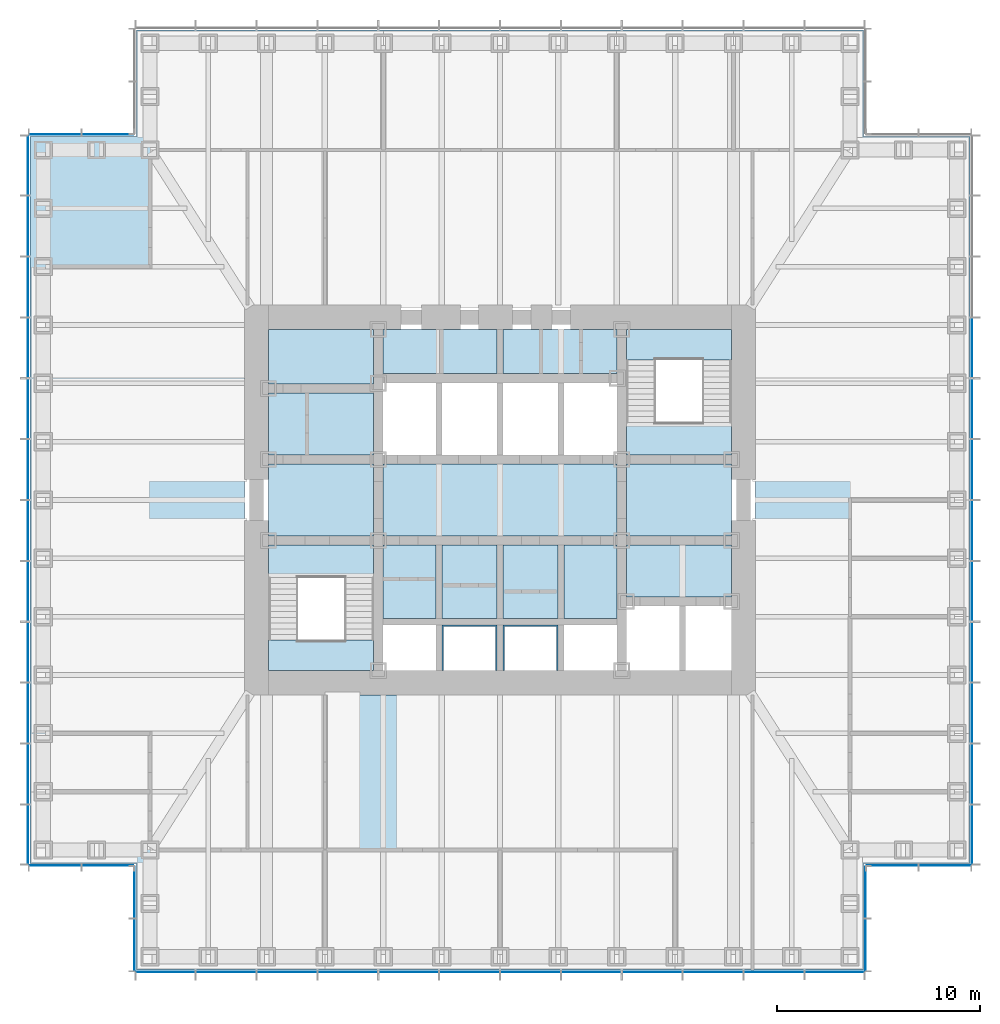
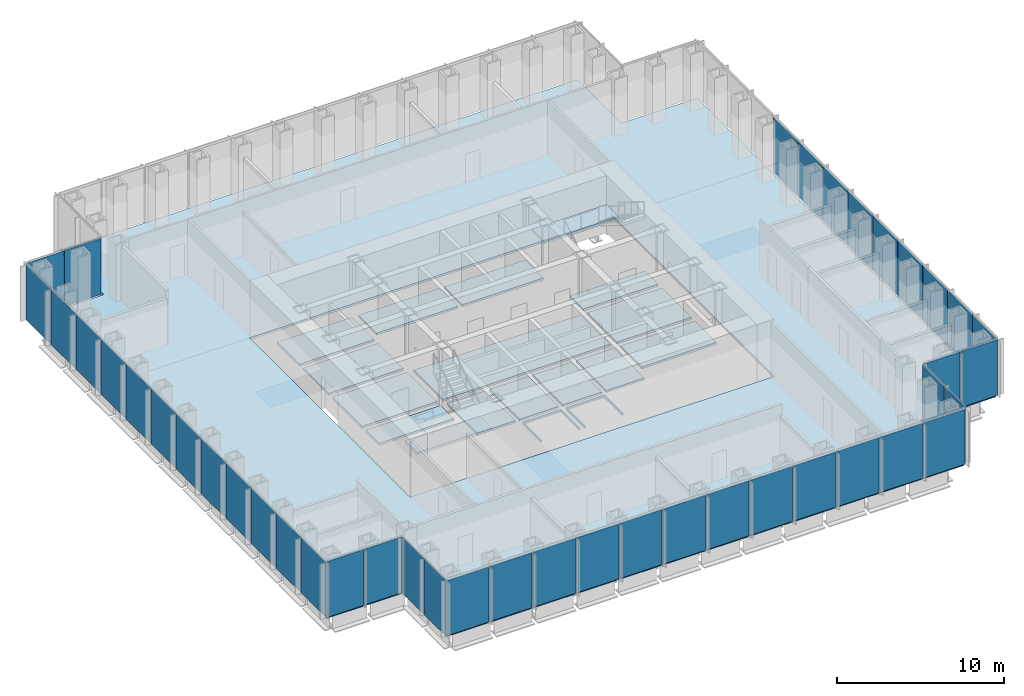
# One storey, part 7 of 17: 43 plates, 19 slabs, 10 elements without a shape of their own.
"""IFC4 building model written with IfcOpenShell, lengths in metres."""

from ifc_helpers import new_model, si_unit, direction, frame, origin, origin_2d, place, context, subcontext, project, spatial, polyline, rectangle, outline, extrude, material, layer, layer_set, type_object, element, aggregate, save


model = new_model("IFC4")

# Units and contexts
model_context = context("Model", 3, precision=1e-05, world=origin(), true_north=direction((0.0, 1.0)))
body_context = subcontext(model_context, "Body", "Model", "MODEL_VIEW")
ifc_project = project(units=[si_unit("LENGTHUNIT", "METRE"), si_unit("AREAUNIT", "SQUARE_METRE"), si_unit("VOLUMEUNIT", "CUBIC_METRE"), si_unit("PLANEANGLEUNIT", "RADIAN"), si_unit("MASSUNIT", "GRAM", prefix="KILO")], contexts=[model_context])

# Site, building, storey
site_placement = place(None, origin())
site = spatial("IfcSite", under=ifc_project, at=site_placement, CompositionType="ELEMENT")
building_placement = place(site_placement, origin())
building = spatial("IfcBuilding", under=site, at=building_placement, Name="Daluyong Arena Tower", CompositionType="ELEMENT")
storey_placement = place(building_placement, frame((0.0, 0.0, 166.89990234375)))
storey = spatial("IfcBuildingStorey", under=building, at=storey_placement, Name="L37", CompositionType="ELEMENT", Elevation=166.89990234375)

# Curtain wall, plates
ifc_material_1 = material(Name="Bronze anodised aluminium and glass", Category="aluminium")
curtain_wall_type_1 = type_object("IfcCurtainWallType", Name="Curtain wall CW2", PredefinedType="USERDEFINED", material=ifc_material_1)
curtain_wall_1_placement = place(storey_placement, origin())
curtain_wall_1 = element("IfcCurtainWall", 1, at=curtain_wall_1_placement, inside=storey, type_object=curtain_wall_type_1, Name="curtain wall L37 S", ObjectType="UNITISED CURTAIN WALL", PredefinedType="USERDEFINED")
ifc_material_2 = material(Name="Tinted double glazed unit", Category="glass")
ifc_layer_1 = layer(ifc_material_2, 0.031982421875)
ifc_layer_set_1 = layer_set([ifc_layer_1], Name="Tinted double glazed unit")
plate_type_1 = type_object("IfcPlateType", Name="CW2 panel 32", PredefinedType="CURTAIN_PANEL", material=ifc_layer_set_1)
plate_1_placement = place(storey_placement, frame((39.52001953125, 56.75, 0.0), z_axis=(0.0, 0.0, 1.0), x_axis=(1.0, 0.0, 0.0)))
plate_1 = element("IfcPlate", 2, at=plate_1_placement, type_object=plate_type_1, Name="curtain wall L37 S panel 1", PredefinedType="CURTAIN_PANEL", context=body_context, shape_type="SweptSolid", body=[
    extrude(rectangle(XDim=2.8798828125, YDim=0.031982421875, at=origin_2d()), origin(), (0.0, 0.0, 1.0), 4.02001953125),
])
plate_2_placement = place(storey_placement, frame((42.5, 56.75, 0.0), z_axis=(0.0, 0.0, 1.0), x_axis=(1.0, 0.0, 0.0)))
plate_2 = element("IfcPlate", 3, at=plate_2_placement, type_object=plate_type_1, Name="curtain wall L37 S panel 2", PredefinedType="CURTAIN_PANEL", context=body_context, shape_type="SweptSolid", body=[
    extrude(rectangle(XDim=2.919921875, YDim=0.031982421875, at=origin_2d()), origin(), (0.0, 0.0, 1.0), 4.02001953125),
])
plate_3_placement = place(storey_placement, frame((45.5, 56.75, 0.0), z_axis=(0.0, 0.0, 1.0), x_axis=(1.0, 0.0, 0.0)))
plate_3 = element("IfcPlate", 4, at=plate_3_placement, type_object=plate_type_1, Name="curtain wall L37 S panel 3", PredefinedType="CURTAIN_PANEL", context=body_context, shape_type="SweptSolid", body=[
    extrude(rectangle(XDim=2.919921875, YDim=0.031982421875, at=origin_2d()), origin(), (0.0, 0.0, 1.0), 4.02001953125),
])
plate_4_placement = place(storey_placement, frame((48.5, 56.75, 0.0), z_axis=(0.0, 0.0, 1.0), x_axis=(1.0, 0.0, 0.0)))
plate_4 = element("IfcPlate", 5, at=plate_4_placement, type_object=plate_type_1, Name="curtain wall L37 S panel 4", PredefinedType="CURTAIN_PANEL", context=body_context, shape_type="SweptSolid", body=[
    extrude(rectangle(XDim=2.919921875, YDim=0.031982421875, at=origin_2d()), origin(), (0.0, 0.0, 1.0), 4.02001953125),
])
plate_5_placement = place(storey_placement, frame((51.5, 56.75, 0.0), z_axis=(0.0, 0.0, 1.0), x_axis=(1.0, 0.0, 0.0)))
plate_5 = element("IfcPlate", 6, at=plate_5_placement, type_object=plate_type_1, Name="curtain wall L37 S panel 5", PredefinedType="CURTAIN_PANEL", context=body_context, shape_type="SweptSolid", body=[
    extrude(rectangle(XDim=2.919921875, YDim=0.031982421875, at=origin_2d()), origin(), (0.0, 0.0, 1.0), 4.02001953125),
])
plate_6_placement = place(storey_placement, frame((54.5, 56.75, 0.0), z_axis=(0.0, 0.0, 1.0), x_axis=(1.0, 0.0, 0.0)))
plate_6 = element("IfcPlate", 7, at=plate_6_placement, type_object=plate_type_1, Name="curtain wall L37 S panel 6", PredefinedType="CURTAIN_PANEL", context=body_context, shape_type="SweptSolid", body=[
    extrude(rectangle(XDim=2.919921875, YDim=0.031982421875, at=origin_2d()), origin(), (0.0, 0.0, 1.0), 4.02001953125),
])
plate_7_placement = place(storey_placement, frame((57.5, 56.75, 0.0), z_axis=(0.0, 0.0, 1.0), x_axis=(1.0, 0.0, 0.0)))
plate_7 = element("IfcPlate", 8, at=plate_7_placement, type_object=plate_type_1, Name="curtain wall L37 S panel 7", PredefinedType="CURTAIN_PANEL", context=body_context, shape_type="SweptSolid", body=[
    extrude(rectangle(XDim=2.919921875, YDim=0.031982421875, at=origin_2d()), origin(), (0.0, 0.0, 1.0), 4.02001953125),
])
plate_8_placement = place(storey_placement, frame((60.5, 56.75, 0.0), z_axis=(0.0, 0.0, 1.0), x_axis=(1.0, 0.0, 0.0)))
plate_8 = element("IfcPlate", 9, at=plate_8_placement, type_object=plate_type_1, Name="curtain wall L37 S panel 8", PredefinedType="CURTAIN_PANEL", context=body_context, shape_type="SweptSolid", body=[
    extrude(rectangle(XDim=2.919921875, YDim=0.031982421875, at=origin_2d()), origin(), (0.0, 0.0, 1.0), 4.02001953125),
])
plate_9_placement = place(storey_placement, frame((63.5, 56.75, 0.0), z_axis=(0.0, 0.0, 1.0), x_axis=(1.0, 0.0, 0.0)))
plate_9 = element("IfcPlate", 10, at=plate_9_placement, type_object=plate_type_1, Name="curtain wall L37 S panel 9", PredefinedType="CURTAIN_PANEL", context=body_context, shape_type="SweptSolid", body=[
    extrude(rectangle(XDim=2.919921875, YDim=0.031982421875, at=origin_2d()), origin(), (0.0, 0.0, 1.0), 4.02001953125),
])
plate_10_placement = place(storey_placement, frame((66.5, 56.75, 0.0), z_axis=(0.0, 0.0, 1.0), x_axis=(1.0, 0.0, 0.0)))
plate_10 = element("IfcPlate", 11, at=plate_10_placement, type_object=plate_type_1, Name="curtain wall L37 S panel 10", PredefinedType="CURTAIN_PANEL", context=body_context, shape_type="SweptSolid", body=[
    extrude(rectangle(XDim=2.919921875, YDim=0.031982421875, at=origin_2d()), origin(), (0.0, 0.0, 1.0), 4.02001953125),
])
plate_11_placement = place(storey_placement, frame((69.5, 56.75, 0.0), z_axis=(0.0, 0.0, 1.0), x_axis=(1.0, 0.0, 0.0)))
plate_11 = element("IfcPlate", 12, at=plate_11_placement, type_object=plate_type_1, Name="curtain wall L37 S panel 11", PredefinedType="CURTAIN_PANEL", context=body_context, shape_type="SweptSolid", body=[
    extrude(rectangle(XDim=2.919921875, YDim=0.031982421875, at=origin_2d()), origin(), (0.0, 0.0, 1.0), 4.02001953125),
])
plate_12_placement = place(storey_placement, frame((72.47998046875, 56.75, 0.0), z_axis=(0.0, 0.0, 1.0), x_axis=(1.0, 0.0, 0.0)))
plate_12 = element("IfcPlate", 13, at=plate_12_placement, type_object=plate_type_1, Name="curtain wall L37 S panel 12", PredefinedType="CURTAIN_PANEL", context=body_context, shape_type="SweptSolid", body=[
    extrude(rectangle(XDim=2.8798828125, YDim=0.031982421875, at=origin_2d()), origin(), (0.0, 0.0, 1.0), 4.02001953125),
])
aggregate(curtain_wall_1, [plate_1, plate_2, plate_3, plate_4, plate_5, plate_6, plate_7, plate_8, plate_9, plate_10, plate_11, plate_12])

curtain_wall_2_placement = place(storey_placement, origin())
curtain_wall_2 = element("IfcCurtainWall", 14, at=curtain_wall_2_placement, inside=storey, type_object=curtain_wall_type_1, Name="curtain wall L37 E", ObjectType="UNITISED CURTAIN WALL", PredefinedType="USERDEFINED")
plate_13_placement = place(storey_placement, frame((79.25, 63.52001953125, 0.0), z_axis=(0.0, 0.0, 1.0), x_axis=(0.0, 1.0, 0.0)))
plate_13 = element("IfcPlate", 15, at=plate_13_placement, type_object=plate_type_1, Name="curtain wall L37 E panel 1", PredefinedType="CURTAIN_PANEL", context=body_context, shape_type="SweptSolid", body=[
    extrude(rectangle(XDim=2.8798828125, YDim=0.031982421875, at=origin_2d()), origin(), (0.0, 0.0, 1.0), 4.02001953125),
])
plate_14_placement = place(storey_placement, frame((79.25, 66.5, 0.0), z_axis=(0.0, 0.0, 1.0), x_axis=(0.0, 1.0, 0.0)))
plate_14 = element("IfcPlate", 16, at=plate_14_placement, type_object=plate_type_1, Name="curtain wall L37 E panel 2", PredefinedType="CURTAIN_PANEL", context=body_context, shape_type="SweptSolid", body=[
    extrude(rectangle(XDim=2.919921875, YDim=0.031982421875, at=origin_2d()), origin(), (0.0, 0.0, 1.0), 4.02001953125),
])
plate_15_placement = place(storey_placement, frame((79.25, 69.5, 0.0), z_axis=(0.0, 0.0, 1.0), x_axis=(0.0, 1.0, 0.0)))
plate_15 = element("IfcPlate", 17, at=plate_15_placement, type_object=plate_type_1, Name="curtain wall L37 E panel 3", PredefinedType="CURTAIN_PANEL", context=body_context, shape_type="SweptSolid", body=[
    extrude(rectangle(XDim=2.919921875, YDim=0.031982421875, at=origin_2d()), origin(), (0.0, 0.0, 1.0), 4.02001953125),
])
plate_16_placement = place(storey_placement, frame((79.25, 72.5, 0.0), z_axis=(0.0, 0.0, 1.0), x_axis=(0.0, 1.0, 0.0)))
plate_16 = element("IfcPlate", 18, at=plate_16_placement, type_object=plate_type_1, Name="curtain wall L37 E panel 4", PredefinedType="CURTAIN_PANEL", context=body_context, shape_type="SweptSolid", body=[
    extrude(rectangle(XDim=2.919921875, YDim=0.031982421875, at=origin_2d()), origin(), (0.0, 0.0, 1.0), 4.02001953125),
])
plate_17_placement = place(storey_placement, frame((79.25, 75.5, 0.0), z_axis=(0.0, 0.0, 1.0), x_axis=(0.0, 1.0, 0.0)))
plate_17 = element("IfcPlate", 19, at=plate_17_placement, type_object=plate_type_1, Name="curtain wall L37 E panel 5", PredefinedType="CURTAIN_PANEL", context=body_context, shape_type="SweptSolid", body=[
    extrude(rectangle(XDim=2.919921875, YDim=0.031982421875, at=origin_2d()), origin(), (0.0, 0.0, 1.0), 4.02001953125),
])
plate_18_placement = place(storey_placement, frame((79.25, 78.5, 0.0), z_axis=(0.0, 0.0, 1.0), x_axis=(0.0, 1.0, 0.0)))
plate_18 = element("IfcPlate", 20, at=plate_18_placement, type_object=plate_type_1, Name="curtain wall L37 E panel 6", PredefinedType="CURTAIN_PANEL", context=body_context, shape_type="SweptSolid", body=[
    extrude(rectangle(XDim=2.919921875, YDim=0.031982421875, at=origin_2d()), origin(), (0.0, 0.0, 1.0), 4.02001953125),
])
plate_19_placement = place(storey_placement, frame((79.25, 81.5, 0.0), z_axis=(0.0, 0.0, 1.0), x_axis=(0.0, 1.0, 0.0)))
plate_19 = element("IfcPlate", 21, at=plate_19_placement, type_object=plate_type_1, Name="curtain wall L37 E panel 7", PredefinedType="CURTAIN_PANEL", context=body_context, shape_type="SweptSolid", body=[
    extrude(rectangle(XDim=2.919921875, YDim=0.031982421875, at=origin_2d()), origin(), (0.0, 0.0, 1.0), 4.02001953125),
])
plate_20_placement = place(storey_placement, frame((79.25, 84.5, 0.0), z_axis=(0.0, 0.0, 1.0), x_axis=(0.0, 1.0, 0.0)))
plate_20 = element("IfcPlate", 22, at=plate_20_placement, type_object=plate_type_1, Name="curtain wall L37 E panel 8", PredefinedType="CURTAIN_PANEL", context=body_context, shape_type="SweptSolid", body=[
    extrude(rectangle(XDim=2.919921875, YDim=0.031982421875, at=origin_2d()), origin(), (0.0, 0.0, 1.0), 4.02001953125),
])
plate_21_placement = place(storey_placement, frame((79.25, 87.5, 0.0), z_axis=(0.0, 0.0, 1.0), x_axis=(0.0, 1.0, 0.0)))
plate_21 = element("IfcPlate", 23, at=plate_21_placement, type_object=plate_type_1, Name="curtain wall L37 E panel 9", PredefinedType="CURTAIN_PANEL", context=body_context, shape_type="SweptSolid", body=[
    extrude(rectangle(XDim=2.919921875, YDim=0.031982421875, at=origin_2d()), origin(), (0.0, 0.0, 1.0), 4.02001953125),
])
aggregate(curtain_wall_2, [plate_13, plate_14, plate_15, plate_16, plate_17, plate_18, plate_19, plate_20, plate_21])

curtain_wall_3_placement = place(storey_placement, origin())
curtain_wall_3 = element("IfcCurtainWall", 24, at=curtain_wall_3_placement, inside=storey, type_object=curtain_wall_type_1, Name="curtain wall L37 W", ObjectType="UNITISED CURTAIN WALL", PredefinedType="USERDEFINED")
plate_22_placement = place(storey_placement, frame((32.75, 96.47998046875, 0.0), z_axis=(0.0, 0.0, 1.0), x_axis=(0.0, -1.0, 0.0)))
plate_22 = element("IfcPlate", 25, at=plate_22_placement, type_object=plate_type_1, Name="curtain wall L37 W panel 1", PredefinedType="CURTAIN_PANEL", context=body_context, shape_type="SweptSolid", body=[
    extrude(rectangle(XDim=2.8798828125, YDim=0.031982421875, at=origin_2d()), origin(), (0.0, 0.0, 1.0), 4.02001953125),
])
plate_23_placement = place(storey_placement, frame((32.75, 93.5, 0.0), z_axis=(0.0, 0.0, 1.0), x_axis=(0.0, -1.0, 0.0)))
plate_23 = element("IfcPlate", 26, at=plate_23_placement, type_object=plate_type_1, Name="curtain wall L37 W panel 2", PredefinedType="CURTAIN_PANEL", context=body_context, shape_type="SweptSolid", body=[
    extrude(rectangle(XDim=2.919921875, YDim=0.031982421875, at=origin_2d()), origin(), (0.0, 0.0, 1.0), 4.02001953125),
])
plate_24_placement = place(storey_placement, frame((32.75, 90.5, 0.0), z_axis=(0.0, 0.0, 1.0), x_axis=(0.0, -1.0, 0.0)))
plate_24 = element("IfcPlate", 27, at=plate_24_placement, type_object=plate_type_1, Name="curtain wall L37 W panel 3", PredefinedType="CURTAIN_PANEL", context=body_context, shape_type="SweptSolid", body=[
    extrude(rectangle(XDim=2.919921875, YDim=0.031982421875, at=origin_2d()), origin(), (0.0, 0.0, 1.0), 4.02001953125),
])
plate_25_placement = place(storey_placement, frame((32.75, 87.5, 0.0), z_axis=(0.0, 0.0, 1.0), x_axis=(0.0, -1.0, 0.0)))
plate_25 = element("IfcPlate", 28, at=plate_25_placement, type_object=plate_type_1, Name="curtain wall L37 W panel 4", PredefinedType="CURTAIN_PANEL", context=body_context, shape_type="SweptSolid", body=[
    extrude(rectangle(XDim=2.919921875, YDim=0.031982421875, at=origin_2d()), origin(), (0.0, 0.0, 1.0), 4.02001953125),
])
plate_26_placement = place(storey_placement, frame((32.75, 84.5, 0.0), z_axis=(0.0, 0.0, 1.0), x_axis=(0.0, -1.0, 0.0)))
plate_26 = element("IfcPlate", 29, at=plate_26_placement, type_object=plate_type_1, Name="curtain wall L37 W panel 5", PredefinedType="CURTAIN_PANEL", context=body_context, shape_type="SweptSolid", body=[
    extrude(rectangle(XDim=2.919921875, YDim=0.031982421875, at=origin_2d()), origin(), (0.0, 0.0, 1.0), 4.02001953125),
])
plate_27_placement = place(storey_placement, frame((32.75, 81.5, 0.0), z_axis=(0.0, 0.0, 1.0), x_axis=(0.0, -1.0, 0.0)))
plate_27 = element("IfcPlate", 30, at=plate_27_placement, type_object=plate_type_1, Name="curtain wall L37 W panel 6", PredefinedType="CURTAIN_PANEL", context=body_context, shape_type="SweptSolid", body=[
    extrude(rectangle(XDim=2.919921875, YDim=0.031982421875, at=origin_2d()), origin(), (0.0, 0.0, 1.0), 4.02001953125),
])
plate_28_placement = place(storey_placement, frame((32.75, 78.5, 0.0), z_axis=(0.0, 0.0, 1.0), x_axis=(0.0, -1.0, 0.0)))
plate_28 = element("IfcPlate", 31, at=plate_28_placement, type_object=plate_type_1, Name="curtain wall L37 W panel 7", PredefinedType="CURTAIN_PANEL", context=body_context, shape_type="SweptSolid", body=[
    extrude(rectangle(XDim=2.919921875, YDim=0.031982421875, at=origin_2d()), origin(), (0.0, 0.0, 1.0), 4.02001953125),
])
plate_29_placement = place(storey_placement, frame((32.75, 75.5, 0.0), z_axis=(0.0, 0.0, 1.0), x_axis=(0.0, -1.0, 0.0)))
plate_29 = element("IfcPlate", 32, at=plate_29_placement, type_object=plate_type_1, Name="curtain wall L37 W panel 8", PredefinedType="CURTAIN_PANEL", context=body_context, shape_type="SweptSolid", body=[
    extrude(rectangle(XDim=2.919921875, YDim=0.031982421875, at=origin_2d()), origin(), (0.0, 0.0, 1.0), 4.02001953125),
])
plate_30_placement = place(storey_placement, frame((32.75, 72.5, 0.0), z_axis=(0.0, 0.0, 1.0), x_axis=(0.0, -1.0, 0.0)))
plate_30 = element("IfcPlate", 33, at=plate_30_placement, type_object=plate_type_1, Name="curtain wall L37 W panel 9", PredefinedType="CURTAIN_PANEL", context=body_context, shape_type="SweptSolid", body=[
    extrude(rectangle(XDim=2.919921875, YDim=0.031982421875, at=origin_2d()), origin(), (0.0, 0.0, 1.0), 4.02001953125),
])
plate_31_placement = place(storey_placement, frame((32.75, 69.5, 0.0), z_axis=(0.0, 0.0, 1.0), x_axis=(0.0, -1.0, 0.0)))
plate_31 = element("IfcPlate", 34, at=plate_31_placement, type_object=plate_type_1, Name="curtain wall L37 W panel 10", PredefinedType="CURTAIN_PANEL", context=body_context, shape_type="SweptSolid", body=[
    extrude(rectangle(XDim=2.919921875, YDim=0.031982421875, at=origin_2d()), origin(), (0.0, 0.0, 1.0), 4.02001953125),
])
plate_32_placement = place(storey_placement, frame((32.75, 66.5, 0.0), z_axis=(0.0, 0.0, 1.0), x_axis=(0.0, -1.0, 0.0)))
plate_32 = element("IfcPlate", 35, at=plate_32_placement, type_object=plate_type_1, Name="curtain wall L37 W panel 11", PredefinedType="CURTAIN_PANEL", context=body_context, shape_type="SweptSolid", body=[
    extrude(rectangle(XDim=2.919921875, YDim=0.031982421875, at=origin_2d()), origin(), (0.0, 0.0, 1.0), 4.02001953125),
])
plate_33_placement = place(storey_placement, frame((32.75, 63.52001953125, 0.0), z_axis=(0.0, 0.0, 1.0), x_axis=(0.0, -1.0, 0.0)))
plate_33 = element("IfcPlate", 36, at=plate_33_placement, type_object=plate_type_1, Name="curtain wall L37 W panel 12", PredefinedType="CURTAIN_PANEL", context=body_context, shape_type="SweptSolid", body=[
    extrude(rectangle(XDim=2.8798828125, YDim=0.031982421875, at=origin_2d()), origin(), (0.0, 0.0, 1.0), 4.02001953125),
])
aggregate(curtain_wall_3, [plate_22, plate_23, plate_24, plate_25, plate_26, plate_27, plate_28, plate_29, plate_30, plate_31, plate_32, plate_33])

ifc_material_3 = material(Name="Bronze anodised aluminium and glass", Category="aluminium")
curtain_wall_type_2 = type_object("IfcCurtainWallType", Name="Curtain wall CW7", PredefinedType="USERDEFINED", material=ifc_material_3)
curtain_wall_4_placement = place(storey_placement, origin())
curtain_wall_4 = element("IfcCurtainWall", 37, at=curtain_wall_4_placement, inside=storey, type_object=curtain_wall_type_2, Name="curtain wall L37 SE-E", ObjectType="UNITISED CURTAIN WALL", PredefinedType="USERDEFINED")
ifc_material_4 = material(Name="Tinted double glazed unit", Category="glass")
ifc_layer_2 = layer(ifc_material_4, 0.028076171875)
ifc_layer_set_2 = layer_set([ifc_layer_2], Name="Tinted double glazed unit")
plate_type_2 = type_object("IfcPlateType", Name="CW7 panel 28", PredefinedType="CURTAIN_PANEL", material=ifc_layer_set_2)
plate_34_placement = place(storey_placement, frame((74.0, 58.077392578125, 0.0), z_axis=(0.0, 0.0, 1.0), x_axis=(0.0, 1.0, 0.0)))
plate_34 = element("IfcPlate", 38, at=plate_34_placement, type_object=plate_type_2, Name="curtain wall L37 SE-E panel 1", PredefinedType="CURTAIN_PANEL", context=body_context, shape_type="SweptSolid", body=[
    extrude(rectangle(XDim=2.534912109375, YDim=0.028076171875, at=origin_2d()), origin(), (0.0, 0.0, 1.0), 4.080078125),
])
plate_35_placement = place(storey_placement, frame((74.0, 60.672607421875, 0.0), z_axis=(0.0, 0.0, 1.0), x_axis=(0.0, 1.0, 0.0)))
plate_35 = element("IfcPlate", 39, at=plate_35_placement, type_object=plate_type_2, Name="curtain wall L37 SE-E panel 2", PredefinedType="CURTAIN_PANEL", context=body_context, shape_type="SweptSolid", body=[
    extrude(rectangle(XDim=2.534912109375, YDim=0.028076171875, at=origin_2d()), origin(), (0.0, 0.0, 1.0), 4.080078125),
])
aggregate(curtain_wall_4, [plate_34, plate_35])

curtain_wall_5_placement = place(storey_placement, origin())
curtain_wall_5 = element("IfcCurtainWall", 40, at=curtain_wall_5_placement, inside=storey, type_object=curtain_wall_type_2, Name="curtain wall L37 SE-S", ObjectType="UNITISED CURTAIN WALL", PredefinedType="USERDEFINED")
plate_36_placement = place(storey_placement, frame((75.327392578125, 62.0, 0.0), z_axis=(0.0, 0.0, 1.0), x_axis=(1.0, 0.0, 0.0)))
plate_36 = element("IfcPlate", 41, at=plate_36_placement, type_object=plate_type_2, Name="curtain wall L37 SE-S panel 1", PredefinedType="CURTAIN_PANEL", context=body_context, shape_type="SweptSolid", body=[
    extrude(rectangle(XDim=2.534912109375, YDim=0.028076171875, at=origin_2d()), origin(), (0.0, 0.0, 1.0), 4.080078125),
])
plate_37_placement = place(storey_placement, frame((77.922607421875, 62.0, 0.0), z_axis=(0.0, 0.0, 1.0), x_axis=(1.0, 0.0, 0.0)))
plate_37 = element("IfcPlate", 42, at=plate_37_placement, type_object=plate_type_2, Name="curtain wall L37 SE-S panel 2", PredefinedType="CURTAIN_PANEL", context=body_context, shape_type="SweptSolid", body=[
    extrude(rectangle(XDim=2.534912109375, YDim=0.028076171875, at=origin_2d()), origin(), (0.0, 0.0, 1.0), 4.080078125),
])
aggregate(curtain_wall_5, [plate_36, plate_37])

curtain_wall_6_placement = place(storey_placement, origin())
curtain_wall_6 = element("IfcCurtainWall", 43, at=curtain_wall_6_placement, inside=storey, type_object=curtain_wall_type_2, Name="curtain wall L37 NW-N", ObjectType="UNITISED CURTAIN WALL", PredefinedType="USERDEFINED")
plate_38_placement = place(storey_placement, frame((36.672607421875, 98.0, 0.0), z_axis=(0.0, 0.0, 1.0), x_axis=(-1.0, 0.0, 0.0)))
plate_38 = element("IfcPlate", 44, at=plate_38_placement, type_object=plate_type_2, Name="curtain wall L37 NW-N panel 1", PredefinedType="CURTAIN_PANEL", context=body_context, shape_type="SweptSolid", body=[
    extrude(rectangle(XDim=2.534912109375, YDim=0.028076171875, at=origin_2d()), origin(), (0.0, 0.0, 1.0), 4.080078125),
])
plate_39_placement = place(storey_placement, frame((34.077392578125, 98.0, 0.0), z_axis=(0.0, 0.0, 1.0), x_axis=(-1.0, 0.0, 0.0)))
plate_39 = element("IfcPlate", 45, at=plate_39_placement, type_object=plate_type_2, Name="curtain wall L37 NW-N panel 2", PredefinedType="CURTAIN_PANEL", context=body_context, shape_type="SweptSolid", body=[
    extrude(rectangle(XDim=2.534912109375, YDim=0.028076171875, at=origin_2d()), origin(), (0.0, 0.0, 1.0), 4.080078125),
])
aggregate(curtain_wall_6, [plate_38, plate_39])

curtain_wall_7_placement = place(storey_placement, origin())
curtain_wall_7 = element("IfcCurtainWall", 46, at=curtain_wall_7_placement, inside=storey, type_object=curtain_wall_type_2, Name="curtain wall L37 SW-S", ObjectType="UNITISED CURTAIN WALL", PredefinedType="USERDEFINED")
plate_40_placement = place(storey_placement, frame((34.077392578125, 62.0, 0.0), z_axis=(0.0, 0.0, 1.0), x_axis=(1.0, 0.0, 0.0)))
plate_40 = element("IfcPlate", 47, at=plate_40_placement, type_object=plate_type_2, Name="curtain wall L37 SW-S panel 1", PredefinedType="CURTAIN_PANEL", context=body_context, shape_type="SweptSolid", body=[
    extrude(rectangle(XDim=2.534912109375, YDim=0.028076171875, at=origin_2d()), origin(), (0.0, 0.0, 1.0), 4.080078125),
])
plate_41_placement = place(storey_placement, frame((36.672607421875, 62.0, 0.0), z_axis=(0.0, 0.0, 1.0), x_axis=(1.0, 0.0, 0.0)))
plate_41 = element("IfcPlate", 48, at=plate_41_placement, type_object=plate_type_2, Name="curtain wall L37 SW-S panel 2", PredefinedType="CURTAIN_PANEL", context=body_context, shape_type="SweptSolid", body=[
    extrude(rectangle(XDim=2.534912109375, YDim=0.028076171875, at=origin_2d()), origin(), (0.0, 0.0, 1.0), 4.080078125),
])
aggregate(curtain_wall_7, [plate_40, plate_41])

curtain_wall_8_placement = place(storey_placement, origin())
curtain_wall_8 = element("IfcCurtainWall", 49, at=curtain_wall_8_placement, inside=storey, type_object=curtain_wall_type_2, Name="curtain wall L37 SW-W", ObjectType="UNITISED CURTAIN WALL", PredefinedType="USERDEFINED")
plate_42_placement = place(storey_placement, frame((38.0, 60.672607421875, 0.0), z_axis=(0.0, 0.0, 1.0), x_axis=(0.0, -1.0, 0.0)))
plate_42 = element("IfcPlate", 50, at=plate_42_placement, type_object=plate_type_2, Name="curtain wall L37 SW-W panel 1", PredefinedType="CURTAIN_PANEL", context=body_context, shape_type="SweptSolid", body=[
    extrude(rectangle(XDim=2.534912109375, YDim=0.028076171875, at=origin_2d()), origin(), (0.0, 0.0, 1.0), 4.080078125),
])
plate_43_placement = place(storey_placement, frame((38.0, 58.077392578125, 0.0), z_axis=(0.0, 0.0, 1.0), x_axis=(0.0, -1.0, 0.0)))
plate_43 = element("IfcPlate", 51, at=plate_43_placement, type_object=plate_type_2, Name="curtain wall L37 SW-W panel 2", PredefinedType="CURTAIN_PANEL", context=body_context, shape_type="SweptSolid", body=[
    extrude(rectangle(XDim=2.534912109375, YDim=0.028076171875, at=origin_2d()), origin(), (0.0, 0.0, 1.0), 4.080078125),
])
aggregate(curtain_wall_8, [plate_42, plate_43])

# Stair, slab
ifc_material_5 = material(Name="Concrete fc' 35 MPa", Category="concrete")
stair_type = type_object("IfcStairType", Name="Core exit stair", PredefinedType="HALF_TURN_STAIR", material=ifc_material_5)
stair_1_placement = place(storey_placement, origin())
stair_1 = element("IfcStair", 52, at=stair_1_placement, inside=storey, type_object=stair_type, Name="exit stair A L37", PredefinedType="HALF_TURN_STAIR")
ifc_material_6 = material(Name="Concrete fc' 35 MPa", Category="concrete")
ifc_layer_3 = layer(ifc_material_6, 0.199951171875)
ifc_layer_set_3 = layer_set([ifc_layer_3], Name="Concrete fc' 35 MPa")
slab_type_1 = type_object("IfcSlabType", Name="Stair landing 200", PredefinedType="LANDING", material=ifc_layer_set_3)
slab_1_placement = place(storey_placement, frame((0.0, 0.0, 1.900146484375)))
slab_1 = element("IfcSlab", 53, at=slab_1_placement, type_object=slab_type_1, Name="STA landing 1", PredefinedType="LANDING", context=body_context, shape_type="SweptSolid", body=[
    extrude(outline(polyline([(44.60009765625, 71.60009765625), (49.77490234375, 71.60009765625), (49.77490234375, 73.094970703125), (44.60009765625, 73.094970703125), (44.60009765625, 71.60009765625)])), origin(), (0.0, 0.0, 1.0), 0.199951171875),
])
aggregate(stair_1, [slab_1])

stair_2_placement = place(storey_placement, origin())
stair_2 = element("IfcStair", 54, at=stair_2_placement, inside=storey, type_object=stair_type, Name="exit stair B L37", PredefinedType="HALF_TURN_STAIR")
slab_2_placement = place(storey_placement, frame((0.0, 0.0, 1.900146484375)))
slab_2 = element("IfcSlab", 55, at=slab_2_placement, type_object=slab_type_1, Name="STB landing 1", PredefinedType="LANDING", context=body_context, shape_type="SweptSolid", body=[
    extrude(outline(polyline([(62.22509765625, 86.905029296875), (67.39990234375, 86.905029296875), (67.39990234375, 88.39990234375), (62.22509765625, 88.39990234375), (62.22509765625, 86.905029296875)])), origin(), (0.0, 0.0, 1.0), 0.199951171875),
])
aggregate(stair_2, [slab_2])

# Slabs
ifc_material_7 = material(Name="Concrete fc' 35 MPa", Category="concrete")
ifc_layer_4 = layer(ifc_material_7, 0.159912109375)
ifc_layer_set_4 = layer_set([ifc_layer_4], Name="Concrete fc' 35 MPa")
slab_type_2 = type_object("IfcSlabType", Name="Tower floor slab 160", PredefinedType="FLOOR", material=ifc_layer_set_4)
slab_3_placement = place(storey_placement, frame((0.0, 0.0, -0.159912109375)))
element("IfcSlab", 56, at=slab_3_placement, inside=storey, type_object=slab_type_2, Name="floor L37 part 1", PredefinedType="FLOOR", context=body_context, shape_type="SweptSolid", body=[
    extrude(outline(polyline([(49.77490234375, 76.175048828125), (49.77490234375, 77.77490234375), (44.60009765625, 77.77490234375), (44.60009765625, 76.175048828125), (49.77490234375, 76.175048828125)])), origin(), (0.0, 0.0, 1.0), 0.159912109375),
])
slab_4_placement = place(storey_placement, frame((0.0, 0.0, -0.159912109375)))
element("IfcSlab", 57, at=slab_4_placement, inside=storey, type_object=slab_type_2, Name="floor L37 part 2", PredefinedType="FLOOR", context=body_context, shape_type="SweptSolid", body=[
    extrude(outline(polyline([(44.60009765625, 78.22509765625), (49.77490234375, 78.22509765625), (49.77490234375, 81.77490234375), (44.60009765625, 81.77490234375), (44.60009765625, 78.22509765625)])), origin(), (0.0, 0.0, 1.0), 0.159912109375),
])
slab_5_placement = place(storey_placement, frame((0.0, 0.0, -0.159912109375)))
element("IfcSlab", 58, at=slab_5_placement, inside=storey, type_object=slab_type_2, Name="floor L37 part 3", PredefinedType="FLOOR", context=body_context, shape_type="SweptSolid", body=[
    extrude(outline(polyline([(44.60009765625, 82.22509765625), (49.77490234375, 82.22509765625), (49.77490234375, 85.27490234375), (44.60009765625, 85.27490234375), (44.60009765625, 82.22509765625)])), origin(), (0.0, 0.0, 1.0), 0.159912109375),
])
slab_6_placement = place(storey_placement, frame((0.0, 0.0, -0.159912109375)))
element("IfcSlab", 59, at=slab_6_placement, inside=storey, type_object=slab_type_2, Name="floor L37 part 4", PredefinedType="FLOOR", context=body_context, shape_type="SweptSolid", body=[
    extrude(outline(polyline([(49.77490234375, 88.39990234375), (44.60009765625, 88.39990234375), (44.60009765625, 85.72509765625), (49.77490234375, 85.72509765625), (49.77490234375, 88.39990234375)])), origin(), (0.0, 0.0, 1.0), 0.159912109375),
])
slab_7_placement = place(storey_placement, frame((0.0, 0.0, -0.159912109375)))
element("IfcSlab", 60, at=slab_7_placement, inside=storey, type_object=slab_type_2, Name="floor L37 part 5", PredefinedType="FLOOR", context=body_context, shape_type="SweptSolid", body=[
    extrude(outline(polyline([(52.85009765625, 77.77490234375), (50.22509765625, 77.77490234375), (50.22509765625, 74.14990234375), (52.85009765625, 74.14990234375), (52.85009765625, 77.77490234375)])), origin(), (0.0, 0.0, 1.0), 0.159912109375),
])
slab_8_placement = place(storey_placement, frame((0.0, 0.0, -0.159912109375)))
element("IfcSlab", 61, at=slab_8_placement, inside=storey, type_object=slab_type_2, Name="floor L37 part 6", PredefinedType="FLOOR", context=body_context, shape_type="SweptSolid", body=[
    extrude(outline(polyline([(55.85009765625, 88.39990234375), (50.22509765625, 88.39990234375), (50.22509765625, 86.22509765625), (55.85009765625, 86.22509765625), (55.85009765625, 88.39990234375)])), origin(), (0.0, 0.0, 1.0), 0.159912109375),
])
slab_9_placement = place(storey_placement, frame((0.0, 0.0, -0.159912109375)))
element("IfcSlab", 62, at=slab_9_placement, inside=storey, type_object=slab_type_2, Name="floor L37 part 7", PredefinedType="FLOOR", context=body_context, shape_type="SweptSolid", body=[
    extrude(outline(polyline([(55.77490234375, 73.77490234375), (55.77490234375, 71.60009765625), (55.85009765625, 71.60009765625), (55.85009765625, 73.85009765625), (53.14990234375, 73.85009765625), (53.14990234375, 71.60009765625), (53.22509765625, 71.60009765625), (53.22509765625, 73.77490234375), (55.77490234375, 73.77490234375)])), origin(), (0.0, 0.0, 1.0), 0.159912109375),
])
slab_10_placement = place(storey_placement, frame((0.0, 0.0, -0.159912109375)))
element("IfcSlab", 63, at=slab_10_placement, inside=storey, type_object=slab_type_2, Name="floor L37 part 8", PredefinedType="FLOOR", context=body_context, shape_type="SweptSolid", body=[
    extrude(outline(polyline([(55.85009765625, 77.77490234375), (53.14990234375, 77.77490234375), (53.14990234375, 74.14990234375), (55.85009765625, 74.14990234375), (55.85009765625, 77.77490234375)])), origin(), (0.0, 0.0, 1.0), 0.159912109375),
])
slab_11_placement = place(storey_placement, frame((0.0, 0.0, -0.159912109375)))
element("IfcSlab", 64, at=slab_11_placement, inside=storey, type_object=slab_type_2, Name="floor L37 part 9", PredefinedType="FLOOR", context=body_context, shape_type="SweptSolid", body=[
    extrude(outline(polyline([(38.10009765625, 62.10009765625), (38.10009765625, 56.85009765625), (73.89990234375, 56.85009765625), (73.89990234375, 62.10009765625), (79.14990234375, 62.10009765625), (79.14990234375, 97.89990234375), (73.89990234375, 97.89990234375), (73.89990234375, 103.14990234375), (38.10009765625, 103.14990234375), (38.10009765625, 97.89990234375), (32.85009765625, 97.89990234375), (32.85009765625, 62.10009765625), (38.10009765625, 62.10009765625)]), holes=[polyline([(68.60009765625, 89.60009765625), (68.60009765625, 70.39990234375), (43.39990234375, 70.39990234375), (43.39990234375, 89.60009765625), (68.60009765625, 89.60009765625)])]), origin(), (0.0, 0.0, 1.0), 0.159912109375),
])
slab_12_placement = place(storey_placement, frame((0.0, 0.0, -0.159912109375)))
element("IfcSlab", 65, at=slab_12_placement, inside=storey, type_object=slab_type_2, Name="floor L37 part 10", PredefinedType="FLOOR", context=body_context, shape_type="SweptSolid", body=[
    extrude(outline(polyline([(61.77490234375, 78.22509765625), (61.77490234375, 81.77490234375), (50.22509765625, 81.77490234375), (50.22509765625, 78.22509765625), (61.77490234375, 78.22509765625)])), origin(), (0.0, 0.0, 1.0), 0.159912109375),
])
slab_13_placement = place(storey_placement, frame((0.0, 0.0, -0.159912109375)))
element("IfcSlab", 66, at=slab_13_placement, inside=storey, type_object=slab_type_2, Name="floor L37 part 11", PredefinedType="FLOOR", context=body_context, shape_type="SweptSolid", body=[
    extrude(outline(polyline([(58.85009765625, 71.60009765625), (58.85009765625, 73.85009765625), (56.14990234375, 73.85009765625), (56.14990234375, 71.60009765625), (56.22509765625, 71.60009765625), (56.22509765625, 73.77490234375), (58.77490234375, 73.77490234375), (58.77490234375, 71.60009765625), (58.85009765625, 71.60009765625)])), origin(), (0.0, 0.0, 1.0), 0.159912109375),
])
slab_14_placement = place(storey_placement, frame((0.0, 0.0, -0.159912109375)))
element("IfcSlab", 67, at=slab_14_placement, inside=storey, type_object=slab_type_2, Name="floor L37 part 12", PredefinedType="FLOOR", context=body_context, shape_type="SweptSolid", body=[
    extrude(outline(polyline([(58.85009765625, 77.77490234375), (56.14990234375, 77.77490234375), (56.14990234375, 74.14990234375), (58.85009765625, 74.14990234375), (58.85009765625, 77.77490234375)])), origin(), (0.0, 0.0, 1.0), 0.159912109375),
])
slab_15_placement = place(storey_placement, frame((0.0, 0.0, -0.159912109375)))
element("IfcSlab", 68, at=slab_15_placement, inside=storey, type_object=slab_type_2, Name="floor L37 part 13", PredefinedType="FLOOR", context=body_context, shape_type="SweptSolid", body=[
    extrude(outline(polyline([(56.14990234375, 88.39990234375), (56.14990234375, 86.22509765625), (61.77490234375, 86.22509765625), (61.77490234375, 88.39990234375), (56.14990234375, 88.39990234375)])), origin(), (0.0, 0.0, 1.0), 0.159912109375),
])
slab_16_placement = place(storey_placement, frame((0.0, 0.0, -0.159912109375)))
element("IfcSlab", 69, at=slab_16_placement, inside=storey, type_object=slab_type_2, Name="floor L37 part 14", PredefinedType="FLOOR", context=body_context, shape_type="SweptSolid", body=[
    extrude(outline(polyline([(59.14990234375, 77.77490234375), (59.14990234375, 74.14990234375), (61.77490234375, 74.14990234375), (61.77490234375, 77.77490234375), (59.14990234375, 77.77490234375)])), origin(), (0.0, 0.0, 1.0), 0.159912109375),
])
slab_17_placement = place(storey_placement, frame((0.0, 0.0, -0.159912109375)))
element("IfcSlab", 70, at=slab_17_placement, inside=storey, type_object=slab_type_2, Name="floor L37 part 15", PredefinedType="FLOOR", context=body_context, shape_type="SweptSolid", body=[
    extrude(outline(polyline([(62.22509765625, 75.22509765625), (67.39990234375, 75.22509765625), (67.39990234375, 77.77490234375), (62.22509765625, 77.77490234375), (62.22509765625, 75.22509765625)])), origin(), (0.0, 0.0, 1.0), 0.159912109375),
])
slab_18_placement = place(storey_placement, frame((0.0, 0.0, -0.159912109375)))
element("IfcSlab", 71, at=slab_18_placement, inside=storey, type_object=slab_type_2, Name="floor L37 part 16", PredefinedType="FLOOR", context=body_context, shape_type="SweptSolid", body=[
    extrude(outline(polyline([(62.22509765625, 78.22509765625), (67.39990234375, 78.22509765625), (67.39990234375, 81.77490234375), (62.22509765625, 81.77490234375), (62.22509765625, 78.22509765625)])), origin(), (0.0, 0.0, 1.0), 0.159912109375),
])
slab_19_placement = place(storey_placement, frame((0.0, 0.0, -0.159912109375)))
element("IfcSlab", 72, at=slab_19_placement, inside=storey, type_object=slab_type_2, Name="floor L37 part 17", PredefinedType="FLOOR", context=body_context, shape_type="SweptSolid", body=[
    extrude(outline(polyline([(62.22509765625, 82.22509765625), (67.39990234375, 82.22509765625), (67.39990234375, 83.824951171875), (62.22509765625, 83.824951171875), (62.22509765625, 82.22509765625)])), origin(), (0.0, 0.0, 1.0), 0.159912109375),
])

save(model, "model.ifc")
